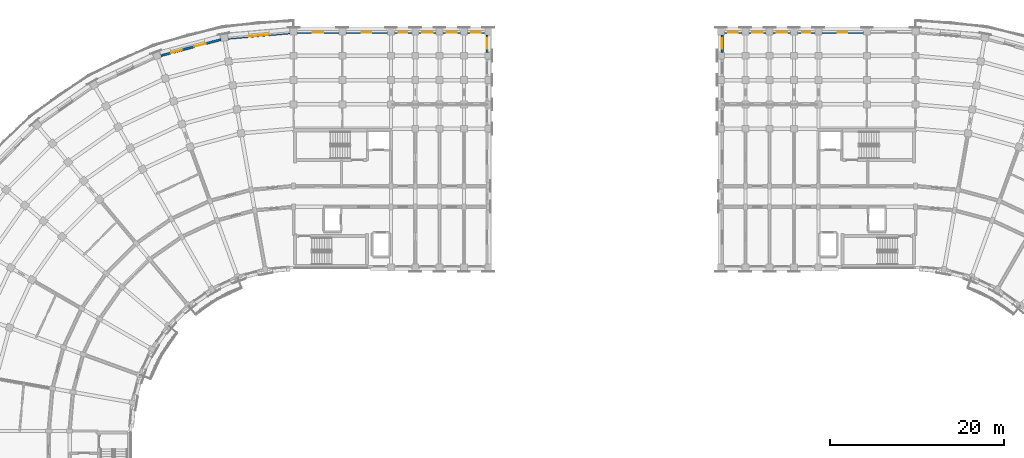
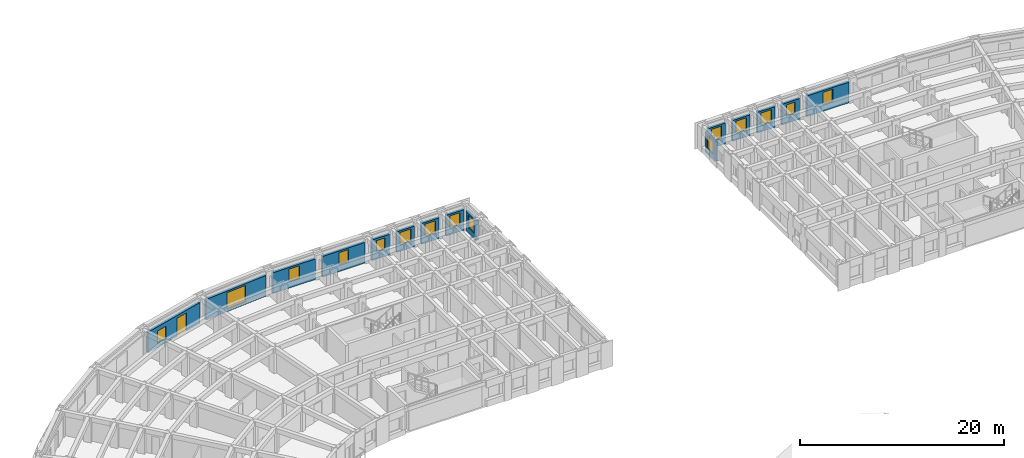
# One storey, part 35 of 54: 15 walls, 15 windows, 1 door, 16 openings.
"""IFC4 building model written with IfcOpenShell, lengths in metres."""

import ifcopenshell
import ifcopenshell.guid

model = None  # the IFC model being written
_history = None  # IfcOwnerHistory: only IFC2X3 demands one
_inside = {}  # id of a spatial element -> (the spatial element, [elements in it])
_under = {}  # id of a project, library or spatial element -> (it, [spatial elements below it])
_declared = {}  # id of a project -> (the project, [libraries it declares])
_typed = {}  # id of a type object -> (the type object, [elements of that type])
_made_of = {}  # id of a material, layer set ... -> (it, [elements and type objects made of it])


def new_model(schema):
    """Start an empty IFC model of exactly this schema.

    Asked for "IFC4X3", IfcOpenShell would pick the latest addendum, in which some entities
    have other attributes; the version numbers below select the first issue.
    IFC2X3 requires an IfcOwnerHistory on every rooted entity: one is made here for all.
    """
    global model, _history
    if schema == "IFC4X3":
        model = ifcopenshell.file(schema_version=(4, 3, 0, 0))
    else:
        model = ifcopenshell.file(schema=schema)
    _inside.clear()
    _under.clear()
    _declared.clear()
    _typed.clear()
    _made_of.clear()
    _history = None
    if model.schema == "IFC2X3":
        org = make("IfcOrganization", Name="unknown")
        user = make(
            "IfcPersonAndOrganization",
            ThePerson=make("IfcPerson", FamilyName="unknown"),
            TheOrganization=org,
        )
        app = make(
            "IfcApplication",
            ApplicationDeveloper=org,
            Version="unknown",
            ApplicationFullName="unknown",
            ApplicationIdentifier="unknown",
        )
        _history = make(
            "IfcOwnerHistory",
            OwningUser=user,
            OwningApplication=app,
            ChangeAction="ADDED",
            CreationDate=0,
        )
    return model


def make(cls, **values):
    """One entity of the class cls with the attributes given. An attribute that is None is left unset."""
    return model.create_entity(
        cls, **{name: value for name, value in values.items() if value is not None}
    )


def rooted(cls, **values):
    """An entity with a GlobalId (a new one), such as an element, a storey or a relation."""
    return make(cls, GlobalId=ifcopenshell.guid.new(), OwnerHistory=_history, **values)


def si_unit(unit_type, name, prefix=None):
    """IfcSIUnit, for example si_unit("LENGTHUNIT", "METRE", prefix="MILLI")."""
    return make("IfcSIUnit", UnitType=unit_type, Prefix=prefix, Name=name)


def assignment(units):
    """IfcUnitAssignment: the units of a project."""
    return None if units is None else make("IfcUnitAssignment", Units=units)


def point(xyz):
    """IfcCartesianPoint."""
    return None if xyz is None else make("IfcCartesianPoint", Coordinates=xyz)


def direction(xyz):
    """IfcDirection."""
    return None if xyz is None else make("IfcDirection", DirectionRatios=xyz)


def frame(location, z_axis=None, x_axis=None):
    """IfcAxis2Placement3D, a coordinate frame: its origin and axes. An axis left out is left unset."""
    return make(
        "IfcAxis2Placement3D",
        Location=point(location),
        Axis=direction(z_axis),
        RefDirection=direction(x_axis),
    )


def frame_2d(location, x_axis=None):
    """IfcAxis2Placement2D, a coordinate frame in the plane: its origin and x axis."""
    return make(
        "IfcAxis2Placement2D", Location=point(location), RefDirection=direction(x_axis)
    )


def origin():
    """The frame at (0, 0, 0) with its axes left unset."""
    return frame((0.0, 0.0, 0.0))


def place(relative_to, where):
    """IfcLocalPlacement: puts the frame where relative to a parent placement (None: the world)."""
    return make(
        "IfcLocalPlacement", PlacementRelTo=relative_to, RelativePlacement=where
    )


def context(
    kind, dimensions, precision=None, world=None, true_north=None, identifier=None
):
    """IfcGeometricRepresentationContext, for example the 3D "Model" context."""
    return make(
        "IfcGeometricRepresentationContext",
        ContextIdentifier=identifier,
        ContextType=kind,
        CoordinateSpaceDimension=dimensions,
        Precision=precision,
        WorldCoordinateSystem=world,
        TrueNorth=true_north,
    )


def subcontext(parent, identifier, kind, view, scale=None):
    """IfcGeometricRepresentationSubContext, for example "Body" below "Model"."""
    return make(
        "IfcGeometricRepresentationSubContext",
        ContextIdentifier=identifier,
        ContextType=kind,
        ParentContext=parent,
        TargetScale=scale,
        TargetView=view,
    )


def project(units=None, contexts=None):
    """IfcProject with its units and contexts."""
    return rooted(
        "IfcProject",
        Name="project",
        RepresentationContexts=contexts,
        UnitsInContext=assignment(units),
    )


def spatial(cls, under=None, at=None, **own):
    """A site, building, storey or space (cls), placed at a placement, below another one or the project."""
    s = rooted(cls, ObjectPlacement=at, **own)
    if under is not None:
        _under.setdefault(under.id(), (under, []))[1].append(s)
    return s


def profile(cls, at=None, kind="AREA", **sizes):
    """A parametric profile (cls). Its sizes go by their IFC names, for example OverallWidth=200.0."""
    return make(cls, ProfileType=kind, Position=at, **sizes)


def rectangle(**sizes):
    """IfcRectangleProfileDef."""
    return profile("IfcRectangleProfileDef", **sizes)


def extrude(swept, where, along, depth):
    """IfcExtrudedAreaSolid: the profile swept, set in the frame where, extruded along a direction by depth."""
    return make(
        "IfcExtrudedAreaSolid",
        SweptArea=swept,
        Position=where,
        ExtrudedDirection=direction(along),
        Depth=depth,
    )


def shape(context_of_items, identifier, shape_type, items):
    """IfcShapeRepresentation: the items that make up one representation, for example the "Body"."""
    return make(
        "IfcShapeRepresentation",
        ContextOfItems=context_of_items,
        RepresentationIdentifier=identifier,
        RepresentationType=shape_type,
        Items=items,
    )


def material(Name=None, Category=None):
    """IfcMaterial."""
    return make("IfcMaterial", Name=Name, Category=Category)


def layer(
    of_material, thickness, ventilated=None, Name=None, Category=None, Priority=None
):
    """IfcMaterialLayer: one layer of a wall or slab, of a material (None: an air gap)."""
    return make(
        "IfcMaterialLayer",
        Material=of_material,
        LayerThickness=thickness,
        IsVentilated=ventilated,
        Name=Name,
        Category=Category,
        Priority=Priority,
    )


def layer_set(layers, Name=None):
    """IfcMaterialLayerSet."""
    return make("IfcMaterialLayerSet", MaterialLayers=layers, LayerSetName=Name)


def made_of(thing, what):
    """Note that an element or type object is made of a material, layer set ...; save() writes the relation."""
    if what is not None:
        _made_of.setdefault(what.id(), (what, []))[1].append(thing)
    return thing


def type_object(cls, material=None, **own):
    """A type object (cls), such as IfcWallType, which elements share."""
    return made_of(rooted(cls, **own), material)


def element(
    cls,
    number,
    at=None,
    inside=None,
    cuts=None,
    type_object=None,
    material=None,
    context=None,
    identifier="Body",
    shape_type=None,
    held_by="IfcProductDefinitionShape",
    body=None,
    shapes=None,
    **own,
):
    """One element of the class cls, such as IfcWall. Its Tag is "e" and its number.

    at: its placement. inside: the storey or other place that contains it. cuts: it is an
    opening in that element (IfcRelVoidsElement). A single representation is given by context,
    identifier, shape_type and body (its items); several are given by shapes. held_by: the class
    of the entity that holds the representations. save() writes the other relations.
    """
    e = rooted(cls, Tag="e%d" % number, ObjectPlacement=at, **own)
    if body is not None:
        shapes = [shape(context, identifier, shape_type, body)]
    if shapes is not None:
        e.Representation = make(held_by, Representations=shapes)
    if inside is not None:
        _inside.setdefault(inside.id(), (inside, []))[1].append(e)
    if cuts is not None:
        rooted(
            "IfcRelVoidsElement", RelatingBuildingElement=cuts, RelatedOpeningElement=e
        )
    if type_object is not None:
        _typed.setdefault(type_object.id(), (type_object, []))[1].append(e)
    return made_of(e, material)


def fill(opening, filler):
    """IfcRelFillsElement: the door or window that sits in an opening."""
    return rooted(
        "IfcRelFillsElement",
        RelatingOpeningElement=opening,
        RelatedBuildingElement=filler,
    )


def aggregate(whole, parts):
    """IfcRelAggregates: a whole, such as a stair, and the parts it consists of."""
    return rooted("IfcRelAggregates", RelatingObject=whole, RelatedObjects=parts)


def save(model, path):
    """Write the relations noted so far, then the file.

    IfcRelAggregates (storeys below a building ...), IfcRelContainedInSpatialStructure (elements
    in a storey), IfcRelDefinesByType, IfcRelAssociatesMaterial and IfcRelDeclares: one each for
    every whole, place, type object, material and project.
    """
    for whole, parts in _under.values():
        aggregate(whole, parts)
    for where, things in _inside.values():
        rooted(
            "IfcRelContainedInSpatialStructure",
            RelatedElements=things,
            RelatingStructure=where,
        )
    for kind, things in _typed.values():
        rooted("IfcRelDefinesByType", RelatedObjects=things, RelatingType=kind)
    for what, things in _made_of.values():
        rooted("IfcRelAssociatesMaterial", RelatedObjects=things, RelatingMaterial=what)
    for by, libraries in _declared.values():
        rooted("IfcRelDeclares", RelatingContext=by, RelatedDefinitions=libraries)
    model.write(path)


model = new_model("IFC4")

# Units and contexts
model_context = context("Model", 3, precision=1e-05, world=origin(), true_north=direction((0.0, 1.0)))
body_context = subcontext(model_context, "Body", "Model", "MODEL_VIEW")
ifc_project = project(units=[si_unit("LENGTHUNIT", "METRE"), si_unit("AREAUNIT", "SQUARE_METRE"), si_unit("VOLUMEUNIT", "CUBIC_METRE"), si_unit("PLANEANGLEUNIT", "RADIAN"), si_unit("MASSUNIT", "GRAM", prefix="KILO")], contexts=[model_context])

# Site, building, storey
site_placement = place(None, origin())
site = spatial("IfcSite", under=ifc_project, at=site_placement, CompositionType="ELEMENT")
building_placement = place(site_placement, origin())
building = spatial("IfcBuilding", under=site, at=building_placement, Name="Kiranvali Square Residences", CompositionType="ELEMENT")
storey_placement = place(building_placement, frame((0.0, 0.0, 15.0)))
storey = spatial("IfcBuildingStorey", under=building, at=storey_placement, Name="L04", CompositionType="ELEMENT", Elevation=15.0)

# Wall, opening, window
ifc_material_1 = material(Name="Breathable lime-rendered clay brick masonry", Category="masonry")
ifc_layer = layer(ifc_material_1, 0.27490234375)
ifc_layer_set = layer_set([ifc_layer], Name="Breathable lime-rendered clay brick masonry")
wall_type = type_object("IfcWallType", Name="WL-EXT-275", PredefinedType="STANDARD", material=ifc_layer_set)
wall_1_placement = place(storey_placement, frame((47.785400390625, 133.63818359375, 0.0), z_axis=(0.0, 0.0, 1.0), x_axis=(-0.99619608453, -0.08713989423, 0.0)))
wall_1 = element("IfcWall", 1, at=wall_1_placement, inside=storey, type_object=wall_type, Name="L04 exterior wall A-L04-CRV-00", PredefinedType="STANDARD", context=body_context, shape_type="SweptSolid", body=[
    extrude(rectangle(XDim=7.1640625, YDim=0.27490234375, at=frame_2d((3.58203125, 0.0))), origin(), (0.0, 0.0, 1.0), 2.471923828125),
])
opening_1_placement = place(wall_1_placement, frame((2.45703125, 0.0, 0.322021484375)))
opening_1 = element("IfcOpeningElement", 2, at=opening_1_placement, cuts=wall_1, Name="Opening W-11", PredefinedType="OPENING", context=body_context, shape_type="SweptSolid", body=[
    extrude(rectangle(XDim=2.25, YDim=1.949951171875, at=frame_2d((1.125, 0.97509765625))), frame((0.0, 0.1474609375, 0.0), z_axis=(0.0, -1.0, 0.0), x_axis=(1.0, 0.0, 0.0)), (0.0, 0.0, 1.0), 0.294921875),
])
ifc_material_2 = material(Name="Solar-control low-e double glazing", Category="glass")
window_type_1 = type_object("IfcWindowType", Name="WIN-RES-2250x1950", PartitioningType="TRIPLE_PANEL_VERTICAL", PredefinedType="WINDOW", material=ifc_material_2)
window_1_placement = place(opening_1_placement, origin())
window_1 = element("IfcWindow", 3, at=window_1_placement, inside=storey, type_object=window_type_1, Name="L04 recessed window A-L04-CRV-00", OverallHeight=1.949951171875, OverallWidth=2.25, PartitioningType="TRIPLE_PANEL_VERTICAL", PredefinedType="WINDOW", context=body_context, shape_type="SweptSolid", body=[
    extrude(rectangle(XDim=2.25, YDim=1.949951171875, at=frame_2d((1.125, 0.97509765625))), frame((0.0, 0.030029296875, 0.0), z_axis=(0.0, -1.0, 0.0), x_axis=(1.0, 0.0, 0.0)), (0.0, 0.0, 1.0), 0.06005859375),
])
fill(opening_1, window_1)

# Wall, openings, door, window
wall_2_placement = place(storey_placement, frame((39.83203125, 132.869873046875, 0.0), z_axis=(0.0, 0.0, 1.0), x_axis=(-0.965923712619, -0.258826933296, 0.0)))
wall_2 = element("IfcWall", 4, at=wall_2_placement, inside=storey, type_object=wall_type, Name="L04 exterior wall A-L04-CRV-01", PredefinedType="STANDARD", context=body_context, shape_type="SweptSolid", body=[
    extrude(rectangle(XDim=7.1640625, YDim=0.27490234375, at=frame_2d((3.58203125, 0.0))), origin(), (0.0, 0.0, 1.0), 2.471923828125),
])
opening_2_placement = place(wall_2_placement, frame((4.6904296875, 0.0, 0.471923828125)))
opening_2 = element("IfcOpeningElement", 5, at=opening_2_placement, cuts=wall_2, Name="Opening W-06", PredefinedType="OPENING", context=body_context, shape_type="SweptSolid", body=[
    extrude(rectangle(XDim=1.199951171875, YDim=1.5, at=frame_2d((0.60009765625, 0.75))), frame((0.0, 0.1474609375, 0.0), z_axis=(0.0, -1.0, 0.0), x_axis=(1.0, 0.0, 0.0)), (0.0, 0.0, 1.0), 0.294921875),
])
opening_3_placement = place(wall_2_placement, frame((1.847412109375, 0.0, 0.0)))
opening_3 = element("IfcOpeningElement", 6, at=opening_3_placement, cuts=wall_2, Name="Opening ED-BAL-3", PredefinedType="OPENING", context=body_context, shape_type="SweptSolid", body=[
    extrude(rectangle(XDim=1.320068359375, YDim=2.14990234375, at=frame_2d((0.66015625, 1.074951171875))), frame((0.0, 0.1474609375, 0.0), z_axis=(0.0, -1.0, 0.0), x_axis=(1.0, 0.0, 0.0)), (0.0, 0.0, 1.0), 0.294921875),
])
ifc_material_3 = material(Name="Anodised bronze aluminium framing", Category="aluminium")
door_type = type_object("IfcDoorType", Name="DR-BAL-1320", OperationType="NOTDEFINED", PredefinedType="DOOR", material=ifc_material_3)
door_placement = place(opening_3_placement, frame((1.320068359375, 0.0, 0.0), z_axis=(0.0, 0.0, 1.0), x_axis=(-1.0, 0.0, 0.0)))
door = element("IfcDoor", 7, at=door_placement, inside=storey, type_object=door_type, Name="L04 balcony terrace door", OperationType="SINGLE_SWING_LEFT", OverallHeight=2.14990234375, OverallWidth=1.320068359375, PredefinedType="DOOR", context=body_context, shape_type="SweptSolid", body=[
    extrude(rectangle(XDim=1.320068359375, YDim=2.14990234375, at=frame_2d((0.66015625, 1.074951171875))), frame((0.0, 0.02490234375, 0.0), z_axis=(0.0, -1.0, 0.0), x_axis=(1.0, 0.0, 0.0)), (0.0, 0.0, 1.0), 0.050048828125),
])
fill(opening_3, door)
window_type_2 = type_object("IfcWindowType", Name="WIN-RES-1200x1500", PartitioningType="SINGLE_PANEL", PredefinedType="WINDOW", material=ifc_material_2)
window_2_placement = place(opening_2_placement, origin())
window_2 = element("IfcWindow", 8, at=window_2_placement, inside=storey, type_object=window_type_2, Name="L04 recessed window A-L04-CRV-01", OverallHeight=1.5, OverallWidth=1.199951171875, PartitioningType="SINGLE_PANEL", PredefinedType="WINDOW", context=body_context, shape_type="SweptSolid", body=[
    extrude(rectangle(XDim=1.199951171875, YDim=1.5, at=frame_2d((0.60009765625, 0.75))), frame((0.0, 0.030029296875, 0.0), z_axis=(0.0, -1.0, 0.0), x_axis=(1.0, 0.0, 0.0)), (0.0, 0.0, 1.0), 0.06005859375),
])
fill(opening_2, window_2)

# Wall, opening, window
wall_3_placement = place(storey_placement, frame((48.603515625, 133.675048828125, 0.0), z_axis=(0.0, 0.0, 1.0), x_axis=(1.0, 0.0, 0.0)))
wall_3 = element("IfcWall", 9, at=wall_3_placement, inside=storey, type_object=wall_type, Name="L04 exterior wall A-L04-A1O-0", PredefinedType="STANDARD", context=body_context, shape_type="SweptSolid", body=[
    extrude(rectangle(XDim=4.79296875, YDim=0.27490234375, at=frame_2d((2.396484375, 0.0))), origin(), (0.0, 0.0, 1.0), 2.471923828125),
])
opening_4_placement = place(wall_3_placement, frame((1.79638671875, 0.0, 0.77197265625)))
opening_4 = element("IfcOpeningElement", 10, at=opening_4_placement, cuts=wall_3, Name="Opening W-06", PredefinedType="OPENING", context=body_context, shape_type="SweptSolid", body=[
    extrude(rectangle(XDim=1.199951171875, YDim=1.5, at=frame_2d((0.60009765625, 0.75))), frame((0.0, 0.1474609375, 0.0), z_axis=(0.0, -1.0, 0.0), x_axis=(1.0, 0.0, 0.0)), (0.0, 0.0, 1.0), 0.294921875),
])
window_3_placement = place(opening_4_placement, origin())
window_3 = element("IfcWindow", 11, at=window_3_placement, inside=storey, type_object=window_type_2, Name="L04 recessed window A-L04-A1O-0", OverallHeight=1.5, OverallWidth=1.199951171875, PartitioningType="SINGLE_PANEL", PredefinedType="WINDOW", context=body_context, shape_type="SweptSolid", body=[
    extrude(rectangle(XDim=1.199951171875, YDim=1.5, at=frame_2d((0.60009765625, 0.75))), frame((0.0, 0.030029296875, 0.0), z_axis=(0.0, -1.0, 0.0), x_axis=(1.0, 0.0, 0.0)), (0.0, 0.0, 1.0), 0.06005859375),
])
fill(opening_4, window_3)

wall_4_placement = place(storey_placement, frame((54.20361328125, 133.675048828125, 0.0), z_axis=(0.0, 0.0, 1.0), x_axis=(1.0, 0.0, 0.0)))
wall_4 = element("IfcWall", 12, at=wall_4_placement, inside=storey, type_object=wall_type, Name="L04 exterior wall A-L04-A1O-1", PredefinedType="STANDARD", context=body_context, shape_type="SweptSolid", body=[
    extrude(rectangle(XDim=4.79296875, YDim=0.27490234375, at=frame_2d((2.396484375, 0.0))), origin(), (0.0, 0.0, 1.0), 2.471923828125),
])
opening_5_placement = place(wall_4_placement, frame((1.846435546875, 0.0, 0.822021484375)))
opening_5 = element("IfcOpeningElement", 13, at=opening_5_placement, cuts=wall_4, Name="Opening W-15", PredefinedType="OPENING", context=body_context, shape_type="SweptSolid", body=[
    extrude(rectangle(XDim=1.10009765625, YDim=1.449951171875, at=frame_2d((0.550048828125, 0.72509765625))), frame((0.0, 0.1474609375, 0.0), z_axis=(0.0, -1.0, 0.0), x_axis=(1.0, 0.0, 0.0)), (0.0, 0.0, 1.0), 0.294921875),
])
window_type_3 = type_object("IfcWindowType", Name="WIN-RES-1100x1450", PartitioningType="SINGLE_PANEL", PredefinedType="WINDOW", material=ifc_material_2)
window_4_placement = place(opening_5_placement, origin())
window_4 = element("IfcWindow", 14, at=window_4_placement, inside=storey, type_object=window_type_3, Name="L04 recessed window A-L04-A1O-1", OverallHeight=1.449951171875, OverallWidth=1.10009765625, PartitioningType="SINGLE_PANEL", PredefinedType="WINDOW", context=body_context, shape_type="SweptSolid", body=[
    extrude(rectangle(XDim=1.10009765625, YDim=1.449951171875, at=frame_2d((0.550048828125, 0.72509765625))), frame((0.0, 0.030029296875, 0.0), z_axis=(0.0, -1.0, 0.0), x_axis=(1.0, 0.0, 0.0)), (0.0, 0.0, 1.0), 0.06005859375),
])
fill(opening_5, window_4)

wall_5_placement = place(storey_placement, frame((59.803466796875, 133.675048828125, 0.0), z_axis=(0.0, 0.0, 1.0), x_axis=(1.0, 0.0, 0.0)))
wall_5 = element("IfcWall", 15, at=wall_5_placement, inside=storey, type_object=wall_type, Name="L04 exterior wall A-L04-A1O-2", PredefinedType="STANDARD", context=body_context, shape_type="SweptSolid", body=[
    extrude(rectangle(XDim=1.992919921875, YDim=0.27490234375, at=frame_2d((0.99658203125, 0.0))), origin(), (0.0, 0.0, 1.0), 2.471923828125),
])
opening_6_placement = place(wall_5_placement, frame((0.521484375, 0.0, 0.8798828125)))
opening_6 = element("IfcOpeningElement", 16, at=opening_6_placement, cuts=wall_5, Name="Opening W-16", PredefinedType="OPENING", context=body_context, shape_type="SweptSolid", body=[
    extrude(rectangle(XDim=0.949951171875, YDim=1.35009765625, at=frame_2d((0.47509765625, 0.675048828125))), frame((0.0, 0.1474609375, 0.0), z_axis=(0.0, -1.0, 0.0), x_axis=(1.0, 0.0, 0.0)), (0.0, 0.0, 1.0), 0.294921875),
])
window_type_4 = type_object("IfcWindowType", Name="WIN-RES-950x1350", PartitioningType="SINGLE_PANEL", PredefinedType="WINDOW", material=ifc_material_2)
window_5_placement = place(opening_6_placement, origin())
window_5 = element("IfcWindow", 17, at=window_5_placement, inside=storey, type_object=window_type_4, Name="L04 recessed window A-L04-A1O-2", OverallHeight=1.35009765625, OverallWidth=0.949951171875, PartitioningType="SINGLE_PANEL", PredefinedType="WINDOW", context=body_context, shape_type="SweptSolid", body=[
    extrude(rectangle(XDim=0.949951171875, YDim=1.35009765625, at=frame_2d((0.47509765625, 0.675048828125))), frame((0.0, 0.030029296875, 0.0), z_axis=(0.0, -1.0, 0.0), x_axis=(1.0, 0.0, 0.0)), (0.0, 0.0, 1.0), 0.06005859375),
])
fill(opening_6, window_5)

wall_6_placement = place(storey_placement, frame((62.603515625, 133.675048828125, 0.0), z_axis=(0.0, 0.0, 1.0), x_axis=(1.0, 0.0, 0.0)))
wall_6 = element("IfcWall", 18, at=wall_6_placement, inside=storey, type_object=wall_type, Name="L04 exterior wall A-L04-A1O-3", PredefinedType="STANDARD", context=body_context, shape_type="SweptSolid", body=[
    extrude(rectangle(XDim=1.992919921875, YDim=0.27490234375, at=frame_2d((0.99658203125, 0.0))), origin(), (0.0, 0.0, 1.0), 2.471923828125),
])
opening_7_placement = place(wall_6_placement, frame((0.396484375, 0.0, 0.77197265625)))
opening_7 = element("IfcOpeningElement", 19, at=opening_7_placement, cuts=wall_6, Name="Opening W-06", PredefinedType="OPENING", context=body_context, shape_type="SweptSolid", body=[
    extrude(rectangle(XDim=1.199951171875, YDim=1.5, at=frame_2d((0.60009765625, 0.75))), frame((0.0, 0.1474609375, 0.0), z_axis=(0.0, -1.0, 0.0), x_axis=(1.0, 0.0, 0.0)), (0.0, 0.0, 1.0), 0.294921875),
])
window_6_placement = place(opening_7_placement, origin())
window_6 = element("IfcWindow", 20, at=window_6_placement, inside=storey, type_object=window_type_2, Name="L04 recessed window A-L04-A1O-3", OverallHeight=1.5, OverallWidth=1.199951171875, PartitioningType="SINGLE_PANEL", PredefinedType="WINDOW", context=body_context, shape_type="SweptSolid", body=[
    extrude(rectangle(XDim=1.199951171875, YDim=1.5, at=frame_2d((0.60009765625, 0.75))), frame((0.0, 0.030029296875, 0.0), z_axis=(0.0, -1.0, 0.0), x_axis=(1.0, 0.0, 0.0)), (0.0, 0.0, 1.0), 0.06005859375),
])
fill(opening_7, window_6)

wall_7_placement = place(storey_placement, frame((65.403564453125, 133.675048828125, 0.0), z_axis=(0.0, 0.0, 1.0), x_axis=(1.0, 0.0, 0.0)))
wall_7 = element("IfcWall", 21, at=wall_7_placement, inside=storey, type_object=wall_type, Name="L04 exterior wall A-L04-A1O-4", PredefinedType="STANDARD", context=body_context, shape_type="SweptSolid", body=[
    extrude(rectangle(XDim=1.992919921875, YDim=0.27490234375, at=frame_2d((0.99658203125, 0.0))), origin(), (0.0, 0.0, 1.0), 2.471923828125),
])
opening_8_placement = place(wall_7_placement, frame((0.396484375, 0.0, 0.77197265625)))
opening_8 = element("IfcOpeningElement", 22, at=opening_8_placement, cuts=wall_7, Name="Opening W-06", PredefinedType="OPENING", context=body_context, shape_type="SweptSolid", body=[
    extrude(rectangle(XDim=1.199951171875, YDim=1.5, at=frame_2d((0.60009765625, 0.75))), frame((0.0, 0.1474609375, 0.0), z_axis=(0.0, -1.0, 0.0), x_axis=(1.0, 0.0, 0.0)), (0.0, 0.0, 1.0), 0.294921875),
])
window_7_placement = place(opening_8_placement, origin())
window_7 = element("IfcWindow", 23, at=window_7_placement, inside=storey, type_object=window_type_2, Name="L04 recessed window A-L04-A1O-4", OverallHeight=1.5, OverallWidth=1.199951171875, PartitioningType="SINGLE_PANEL", PredefinedType="WINDOW", context=body_context, shape_type="SweptSolid", body=[
    extrude(rectangle(XDim=1.199951171875, YDim=1.5, at=frame_2d((0.60009765625, 0.75))), frame((0.0, 0.030029296875, 0.0), z_axis=(0.0, -1.0, 0.0), x_axis=(1.0, 0.0, 0.0)), (0.0, 0.0, 1.0), 0.06005859375),
])
fill(opening_8, window_7)

wall_8_placement = place(storey_placement, frame((68.20361328125, 133.675048828125, 0.0), z_axis=(0.0, 0.0, 1.0), x_axis=(1.0, 0.0, 0.0)))
wall_8 = element("IfcWall", 24, at=wall_8_placement, inside=storey, type_object=wall_type, Name="L04 exterior wall A-L04-A1O-5", PredefinedType="STANDARD", context=body_context, shape_type="SweptSolid", body=[
    extrude(rectangle(XDim=1.992919921875, YDim=0.27490234375, at=frame_2d((0.99658203125, 0.0))), origin(), (0.0, 0.0, 1.0), 2.471923828125),
])
opening_9_placement = place(wall_8_placement, frame((0.446533203125, 0.0, 0.822021484375)))
opening_9 = element("IfcOpeningElement", 25, at=opening_9_placement, cuts=wall_8, Name="Opening W-15", PredefinedType="OPENING", context=body_context, shape_type="SweptSolid", body=[
    extrude(rectangle(XDim=1.10009765625, YDim=1.449951171875, at=frame_2d((0.550048828125, 0.72509765625))), frame((0.0, 0.1474609375, 0.0), z_axis=(0.0, -1.0, 0.0), x_axis=(1.0, 0.0, 0.0)), (0.0, 0.0, 1.0), 0.294921875),
])
window_8_placement = place(opening_9_placement, origin())
window_8 = element("IfcWindow", 26, at=window_8_placement, inside=storey, type_object=window_type_3, Name="L04 recessed window A-L04-A1O-5", OverallHeight=1.449951171875, OverallWidth=1.10009765625, PartitioningType="SINGLE_PANEL", PredefinedType="WINDOW", context=body_context, shape_type="SweptSolid", body=[
    extrude(rectangle(XDim=1.10009765625, YDim=1.449951171875, at=frame_2d((0.550048828125, 0.72509765625))), frame((0.0, 0.030029296875, 0.0), z_axis=(0.0, -1.0, 0.0), x_axis=(1.0, 0.0, 0.0)), (0.0, 0.0, 1.0), 0.06005859375),
])
fill(opening_9, window_8)

wall_9_placement = place(storey_placement, frame((70.47509765625, 131.403564453125, 0.0), z_axis=(0.0, 0.0, 1.0), x_axis=(0.0, 1.0, 0.0)))
wall_9 = element("IfcWall", 27, at=wall_9_placement, inside=storey, type_object=wall_type, Name="L04 exterior wall A-L04-A1END-6", PredefinedType="STANDARD", context=body_context, shape_type="SweptSolid", body=[
    extrude(rectangle(XDim=1.992919921875, YDim=0.27490234375, at=frame_2d((0.99658203125, 0.0))), origin(), (0.0, 0.0, 1.0), 2.3720703125),
])
opening_10_placement = place(wall_9_placement, frame((0.396484375, 0.0, 0.672119140625)))
opening_10 = element("IfcOpeningElement", 28, at=opening_10_placement, cuts=wall_9, Name="Opening W-06", PredefinedType="OPENING", context=body_context, shape_type="SweptSolid", body=[
    extrude(rectangle(XDim=1.199951171875, YDim=1.5, at=frame_2d((0.60009765625, 0.75))), frame((0.0, 0.1474609375, 0.0), z_axis=(0.0, -1.0, 0.0), x_axis=(1.0, 0.0, 0.0)), (0.0, 0.0, 1.0), 0.294921875),
])
window_9_placement = place(opening_10_placement, origin())
window_9 = element("IfcWindow", 29, at=window_9_placement, inside=storey, type_object=window_type_2, Name="L04 recessed window A-L04-A1END-6", OverallHeight=1.5, OverallWidth=1.199951171875, PartitioningType="SINGLE_PANEL", PredefinedType="WINDOW", context=body_context, shape_type="SweptSolid", body=[
    extrude(rectangle(XDim=1.199951171875, YDim=1.5, at=frame_2d((0.60009765625, 0.75))), frame((0.0, 0.030029296875, 0.0), z_axis=(0.0, -1.0, 0.0), x_axis=(1.0, 0.0, 0.0)), (0.0, 0.0, 1.0), 0.06005859375),
])
fill(opening_10, window_9)

wall_10_placement = place(storey_placement, frame((113.79638671875, 133.675048828125, 0.0), z_axis=(0.0, 0.0, 1.0), x_axis=(-1.0, 0.0, 0.0)))
wall_10 = element("IfcWall", 30, at=wall_10_placement, inside=storey, type_object=wall_type, Name="L04 exterior wall B-L04-A1O-1", PredefinedType="STANDARD", context=body_context, shape_type="SweptSolid", body=[
    extrude(rectangle(XDim=4.79296875, YDim=0.27490234375, at=frame_2d((2.396484375, 0.0))), origin(), (0.0, 0.0, 1.0), 2.471923828125),
])
opening_11_placement = place(wall_10_placement, frame((1.846435546875, 0.0, 0.822021484375)))
opening_11 = element("IfcOpeningElement", 31, at=opening_11_placement, cuts=wall_10, Name="Opening W-15", PredefinedType="OPENING", context=body_context, shape_type="SweptSolid", body=[
    extrude(rectangle(XDim=1.10009765625, YDim=1.449951171875, at=frame_2d((0.550048828125, 0.72509765625))), frame((0.0, 0.1474609375, 0.0), z_axis=(0.0, -1.0, 0.0), x_axis=(1.0, 0.0, 0.0)), (0.0, 0.0, 1.0), 0.294921875),
])
window_10_placement = place(opening_11_placement, origin())
window_10 = element("IfcWindow", 32, at=window_10_placement, inside=storey, type_object=window_type_3, Name="L04 recessed window B-L04-A1O-1", OverallHeight=1.449951171875, OverallWidth=1.10009765625, PartitioningType="SINGLE_PANEL", PredefinedType="WINDOW", context=body_context, shape_type="SweptSolid", body=[
    extrude(rectangle(XDim=1.10009765625, YDim=1.449951171875, at=frame_2d((0.550048828125, 0.72509765625))), frame((0.0, 0.030029296875, 0.0), z_axis=(0.0, -1.0, 0.0), x_axis=(1.0, 0.0, 0.0)), (0.0, 0.0, 1.0), 0.06005859375),
])
fill(opening_11, window_10)

wall_11_placement = place(storey_placement, frame((108.196533203125, 133.675048828125, 0.0), z_axis=(0.0, 0.0, 1.0), x_axis=(-1.0, 0.0, 0.0)))
wall_11 = element("IfcWall", 33, at=wall_11_placement, inside=storey, type_object=wall_type, Name="L04 exterior wall B-L04-A1O-2", PredefinedType="STANDARD", context=body_context, shape_type="SweptSolid", body=[
    extrude(rectangle(XDim=1.992919921875, YDim=0.27490234375, at=frame_2d((0.99658203125, 0.0))), origin(), (0.0, 0.0, 1.0), 2.471923828125),
])
opening_12_placement = place(wall_11_placement, frame((0.521484375, 0.0, 0.8798828125)))
opening_12 = element("IfcOpeningElement", 34, at=opening_12_placement, cuts=wall_11, Name="Opening W-16", PredefinedType="OPENING", context=body_context, shape_type="SweptSolid", body=[
    extrude(rectangle(XDim=0.949951171875, YDim=1.35009765625, at=frame_2d((0.47509765625, 0.675048828125))), frame((0.0, 0.1474609375, 0.0), z_axis=(0.0, -1.0, 0.0), x_axis=(1.0, 0.0, 0.0)), (0.0, 0.0, 1.0), 0.294921875),
])
window_11_placement = place(opening_12_placement, origin())
window_11 = element("IfcWindow", 35, at=window_11_placement, inside=storey, type_object=window_type_4, Name="L04 recessed window B-L04-A1O-2", OverallHeight=1.35009765625, OverallWidth=0.949951171875, PartitioningType="SINGLE_PANEL", PredefinedType="WINDOW", context=body_context, shape_type="SweptSolid", body=[
    extrude(rectangle(XDim=0.949951171875, YDim=1.35009765625, at=frame_2d((0.47509765625, 0.675048828125))), frame((0.0, 0.030029296875, 0.0), z_axis=(0.0, -1.0, 0.0), x_axis=(1.0, 0.0, 0.0)), (0.0, 0.0, 1.0), 0.06005859375),
])
fill(opening_12, window_11)

wall_12_placement = place(storey_placement, frame((105.396484375, 133.675048828125, 0.0), z_axis=(0.0, 0.0, 1.0), x_axis=(-1.0, 0.0, 0.0)))
wall_12 = element("IfcWall", 36, at=wall_12_placement, inside=storey, type_object=wall_type, Name="L04 exterior wall B-L04-A1O-3", PredefinedType="STANDARD", context=body_context, shape_type="SweptSolid", body=[
    extrude(rectangle(XDim=1.992919921875, YDim=0.27490234375, at=frame_2d((0.99658203125, 0.0))), origin(), (0.0, 0.0, 1.0), 2.471923828125),
])
opening_13_placement = place(wall_12_placement, frame((0.396484375, 0.0, 0.77197265625)))
opening_13 = element("IfcOpeningElement", 37, at=opening_13_placement, cuts=wall_12, Name="Opening W-06", PredefinedType="OPENING", context=body_context, shape_type="SweptSolid", body=[
    extrude(rectangle(XDim=1.199951171875, YDim=1.5, at=frame_2d((0.60009765625, 0.75))), frame((0.0, 0.1474609375, 0.0), z_axis=(0.0, -1.0, 0.0), x_axis=(1.0, 0.0, 0.0)), (0.0, 0.0, 1.0), 0.294921875),
])
window_12_placement = place(opening_13_placement, origin())
window_12 = element("IfcWindow", 38, at=window_12_placement, inside=storey, type_object=window_type_2, Name="L04 recessed window B-L04-A1O-3", OverallHeight=1.5, OverallWidth=1.199951171875, PartitioningType="SINGLE_PANEL", PredefinedType="WINDOW", context=body_context, shape_type="SweptSolid", body=[
    extrude(rectangle(XDim=1.199951171875, YDim=1.5, at=frame_2d((0.60009765625, 0.75))), frame((0.0, 0.030029296875, 0.0), z_axis=(0.0, -1.0, 0.0), x_axis=(1.0, 0.0, 0.0)), (0.0, 0.0, 1.0), 0.06005859375),
])
fill(opening_13, window_12)

wall_13_placement = place(storey_placement, frame((102.596435546875, 133.675048828125, 0.0), z_axis=(0.0, 0.0, 1.0), x_axis=(-1.0, 0.0, 0.0)))
wall_13 = element("IfcWall", 39, at=wall_13_placement, inside=storey, type_object=wall_type, Name="L04 exterior wall B-L04-A1O-4", PredefinedType="STANDARD", context=body_context, shape_type="SweptSolid", body=[
    extrude(rectangle(XDim=1.992919921875, YDim=0.27490234375, at=frame_2d((0.99658203125, 0.0))), origin(), (0.0, 0.0, 1.0), 2.471923828125),
])
opening_14_placement = place(wall_13_placement, frame((0.396484375, 0.0, 0.77197265625)))
opening_14 = element("IfcOpeningElement", 40, at=opening_14_placement, cuts=wall_13, Name="Opening W-06", PredefinedType="OPENING", context=body_context, shape_type="SweptSolid", body=[
    extrude(rectangle(XDim=1.199951171875, YDim=1.5, at=frame_2d((0.60009765625, 0.75))), frame((0.0, 0.1474609375, 0.0), z_axis=(0.0, -1.0, 0.0), x_axis=(1.0, 0.0, 0.0)), (0.0, 0.0, 1.0), 0.294921875),
])
window_13_placement = place(opening_14_placement, origin())
window_13 = element("IfcWindow", 41, at=window_13_placement, inside=storey, type_object=window_type_2, Name="L04 recessed window B-L04-A1O-4", OverallHeight=1.5, OverallWidth=1.199951171875, PartitioningType="SINGLE_PANEL", PredefinedType="WINDOW", context=body_context, shape_type="SweptSolid", body=[
    extrude(rectangle(XDim=1.199951171875, YDim=1.5, at=frame_2d((0.60009765625, 0.75))), frame((0.0, 0.030029296875, 0.0), z_axis=(0.0, -1.0, 0.0), x_axis=(1.0, 0.0, 0.0)), (0.0, 0.0, 1.0), 0.06005859375),
])
fill(opening_14, window_13)

wall_14_placement = place(storey_placement, frame((99.79638671875, 133.675048828125, 0.0), z_axis=(0.0, 0.0, 1.0), x_axis=(-1.0, 0.0, 0.0)))
wall_14 = element("IfcWall", 42, at=wall_14_placement, inside=storey, type_object=wall_type, Name="L04 exterior wall B-L04-A1O-5", PredefinedType="STANDARD", context=body_context, shape_type="SweptSolid", body=[
    extrude(rectangle(XDim=1.992919921875, YDim=0.27490234375, at=frame_2d((0.99658203125, 0.0))), origin(), (0.0, 0.0, 1.0), 2.471923828125),
])
opening_15_placement = place(wall_14_placement, frame((0.446533203125, 0.0, 0.822021484375)))
opening_15 = element("IfcOpeningElement", 43, at=opening_15_placement, cuts=wall_14, Name="Opening W-15", PredefinedType="OPENING", context=body_context, shape_type="SweptSolid", body=[
    extrude(rectangle(XDim=1.10009765625, YDim=1.449951171875, at=frame_2d((0.550048828125, 0.72509765625))), frame((0.0, 0.1474609375, 0.0), z_axis=(0.0, -1.0, 0.0), x_axis=(1.0, 0.0, 0.0)), (0.0, 0.0, 1.0), 0.294921875),
])
window_14_placement = place(opening_15_placement, origin())
window_14 = element("IfcWindow", 44, at=window_14_placement, inside=storey, type_object=window_type_3, Name="L04 recessed window B-L04-A1O-5", OverallHeight=1.449951171875, OverallWidth=1.10009765625, PartitioningType="SINGLE_PANEL", PredefinedType="WINDOW", context=body_context, shape_type="SweptSolid", body=[
    extrude(rectangle(XDim=1.10009765625, YDim=1.449951171875, at=frame_2d((0.550048828125, 0.72509765625))), frame((0.0, 0.030029296875, 0.0), z_axis=(0.0, -1.0, 0.0), x_axis=(1.0, 0.0, 0.0)), (0.0, 0.0, 1.0), 0.06005859375),
])
fill(opening_15, window_14)

wall_15_placement = place(storey_placement, frame((97.52490234375, 131.403564453125, 0.0), z_axis=(0.0, 0.0, 1.0), x_axis=(0.0, 1.0, 0.0)))
wall_15 = element("IfcWall", 45, at=wall_15_placement, inside=storey, type_object=wall_type, Name="L04 exterior wall B-L04-A1END-6", PredefinedType="STANDARD", context=body_context, shape_type="SweptSolid", body=[
    extrude(rectangle(XDim=1.992919921875, YDim=0.27490234375, at=frame_2d((0.99658203125, 0.0))), origin(), (0.0, 0.0, 1.0), 2.3720703125),
])
opening_16_placement = place(wall_15_placement, frame((0.396484375, 0.0, 0.672119140625)))
opening_16 = element("IfcOpeningElement", 46, at=opening_16_placement, cuts=wall_15, Name="Opening W-06", PredefinedType="OPENING", context=body_context, shape_type="SweptSolid", body=[
    extrude(rectangle(XDim=1.199951171875, YDim=1.5, at=frame_2d((0.60009765625, 0.75))), frame((0.0, 0.1474609375, 0.0), z_axis=(0.0, -1.0, 0.0), x_axis=(1.0, 0.0, 0.0)), (0.0, 0.0, 1.0), 0.294921875),
])
window_15_placement = place(opening_16_placement, origin())
window_15 = element("IfcWindow", 47, at=window_15_placement, inside=storey, type_object=window_type_2, Name="L04 recessed window B-L04-A1END-6", OverallHeight=1.5, OverallWidth=1.199951171875, PartitioningType="SINGLE_PANEL", PredefinedType="WINDOW", context=body_context, shape_type="SweptSolid", body=[
    extrude(rectangle(XDim=1.199951171875, YDim=1.5, at=frame_2d((0.60009765625, 0.75))), frame((0.0, 0.030029296875, 0.0), z_axis=(0.0, -1.0, 0.0), x_axis=(1.0, 0.0, 0.0)), (0.0, 0.0, 1.0), 0.06005859375),
])
fill(opening_16, window_15)

save(model, "model.ifc")
